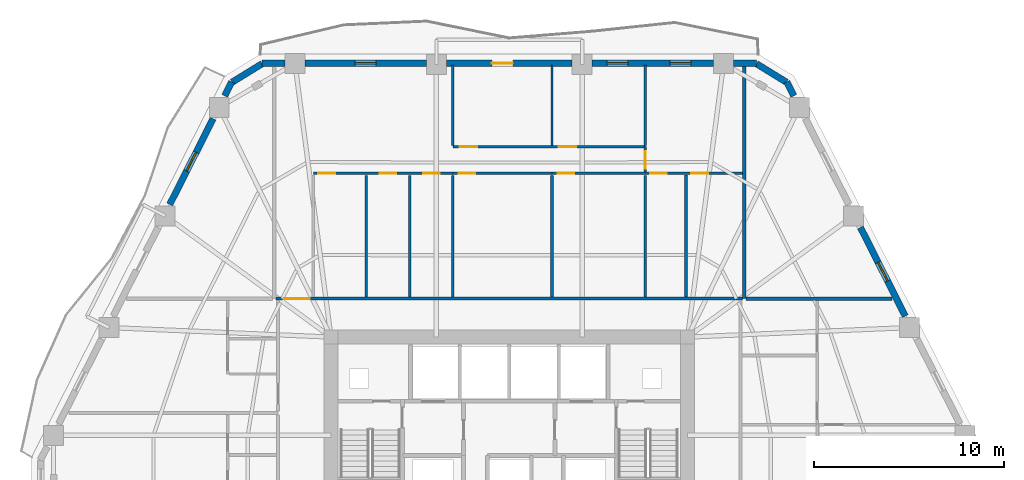
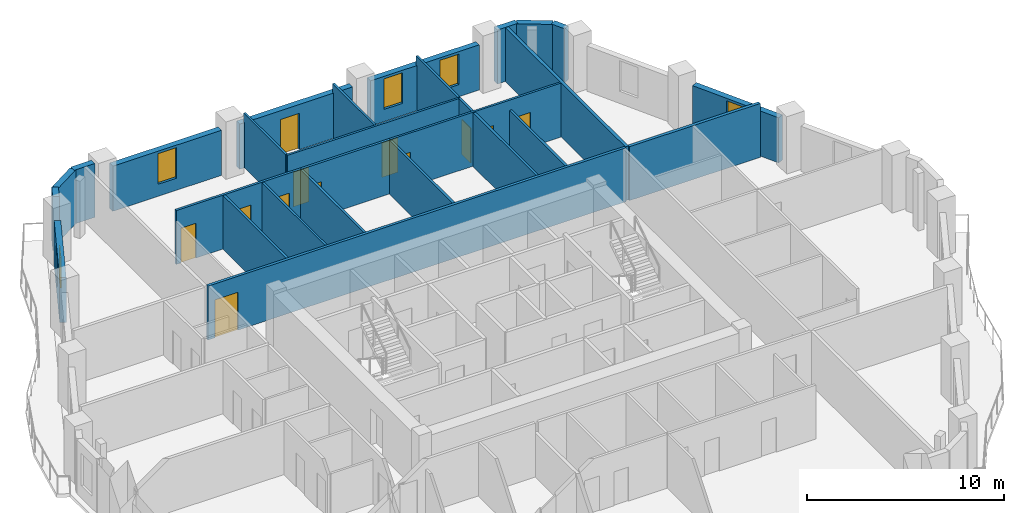
# One storey, part 7 of 10: 28 walls, 12 doors, 5 windows, 17 openings.
"""IFC4 building model written with IfcOpenShell, lengths in metres."""

from ifc_helpers import new_model, si_unit, direction, frame, frame_2d, origin, place, context, subcontext, project, spatial, rectangle, extrude, material, layer, layer_set, type_object, element, fill, save


model = new_model("IFC4")

# Units and contexts
model_context = context("Model", 3, precision=1e-05, world=origin(), true_north=direction((0.0, 1.0)))
body_context = subcontext(model_context, "Body", "Model", "MODEL_VIEW")
ifc_project = project(units=[si_unit("LENGTHUNIT", "METRE"), si_unit("AREAUNIT", "SQUARE_METRE"), si_unit("VOLUMEUNIT", "CUBIC_METRE"), si_unit("PLANEANGLEUNIT", "RADIAN"), si_unit("MASSUNIT", "GRAM", prefix="KILO")], contexts=[model_context])

# Site, building, storey
site_placement = place(None, origin())
site = spatial("IfcSite", under=ifc_project, at=site_placement, CompositionType="ELEMENT")
building_placement = place(site_placement, origin())
building = spatial("IfcBuilding", under=site, at=building_placement, Name="Cinnabar Lancet Tower", CompositionType="ELEMENT")
storey_placement = place(building_placement, frame((0.0, 0.0, 116.14990234375)))
storey = spatial("IfcBuildingStorey", under=building, at=storey_placement, Name="L30", CompositionType="ELEMENT", Elevation=116.14990234375)

# Wall, opening, door
ifc_material_1 = material(Name="Acoustic twin-stud gypsum partition", Category="gypsum")
ifc_layer_1 = layer(ifc_material_1, 0.159912109375)
ifc_layer_set_1 = layer_set([ifc_layer_1], Name="Acoustic twin-stud gypsum partition")
wall_type_1 = type_object("IfcWallType", Name="ARC-WL-CORR-160", PredefinedType="PARTITIONING", material=ifc_layer_set_1)
wall_1_placement = place(storey_placement, frame((20.14501953125, 35.300048828125, 0.0), z_axis=(0.0, 0.0, 1.0), x_axis=(1.0, 0.0, 0.0)))
wall_1 = element("IfcWall", 1, at=wall_1_placement, inside=storey, type_object=wall_type_1, Name="L30 Unit N01 Corridor Wall", PredefinedType="PARTITIONING", context=body_context, shape_type="SweptSolid", body=[
    extrude(rectangle(XDim=24.510009765625, YDim=0.159912109375, at=frame_2d((12.2548828125, 0.0))), origin(), (0.0, 0.0, 1.0), 3.340087890625),
])
opening_1_placement = place(wall_1_placement, frame((0.405029296875, 0.0, 0.0)))
opening_1 = element("IfcOpeningElement", 2, at=opening_1_placement, cuts=wall_1, Name="Opening UD-02", PredefinedType="OPENING", context=body_context, shape_type="SweptSolid", body=[
    extrude(rectangle(XDim=1.35009765625, YDim=2.35009765625, at=frame_2d((0.675048828125, 1.175048828125))), frame((0.0, 0.08984375, 0.0), z_axis=(0.0, -1.0, 0.0), x_axis=(1.0, 0.0, 0.0)), (0.0, 0.0, 1.0), 0.179931640625),
])
ifc_material_2 = material(Name="Double-leaf solid timber penthouse entrance door", Category="wood")
door_type_1 = type_object("IfcDoorType", Name="ARC-DR-UNIT-PH", OperationType="NOTDEFINED", PredefinedType="DOOR", material=ifc_material_2)
door_1_placement = place(opening_1_placement, origin())
door_1 = element("IfcDoor", 3, at=door_1_placement, inside=storey, type_object=door_type_1, Name="DR-L30-N01-ENT", OperationType="SINGLE_SWING_LEFT", OverallHeight=2.35009765625, OverallWidth=1.35009765625, PredefinedType="DOOR", context=body_context, shape_type="SweptSolid", body=[
    extrude(rectangle(XDim=1.35009765625, YDim=2.35009765625, at=frame_2d((0.675048828125, 1.175048828125))), frame((0.0, 0.02490234375, 0.0), z_axis=(0.0, -1.0, 0.0), x_axis=(1.0, 0.0, 0.0)), (0.0, 0.0, 1.0), 0.050048828125),
])
fill(opening_1, door_1)

# Walls
ifc_material_3 = material(Name="Fire-rated twin-frame acoustic drywall", Category="gypsum")
ifc_layer_2 = layer(ifc_material_3, 0.179931640625)
ifc_layer_set_2 = layer_set([ifc_layer_2], Name="Fire-rated twin-frame acoustic drywall")
wall_type_2 = type_object("IfcWallType", Name="ARC-WL-PARTY-180", PredefinedType="PARTITIONING", material=ifc_layer_set_2)
wall_2_placement = place(storey_placement, frame((44.75, 35.300048828125, 0.0), z_axis=(0.0, 0.0, 1.0), x_axis=(0.0, 1.0, 0.0)))
element("IfcWall", 4, at=wall_2_placement, inside=storey, type_object=wall_type_2, Name="PW-L30-NPTY-448", PredefinedType="PARTITIONING", context=body_context, shape_type="SweptSolid", body=[
    extrude(rectangle(XDim=12.195068359375, YDim=0.179931640625, at=frame_2d((6.09765625, 0.0))), origin(), (0.0, 0.0, 1.0), 3.340087890625),
])
wall_3_placement = place(storey_placement, frame((44.844970703125, 35.300048828125, 0.0), z_axis=(0.0, 0.0, 1.0), x_axis=(1.0, 0.0, 0.0)))
element("IfcWall", 5, at=wall_3_placement, inside=storey, type_object=wall_type_2, Name="PW-L30-ENB", PredefinedType="PARTITIONING", context=body_context, shape_type="SweptSolid", body=[
    extrude(rectangle(XDim=7.6689453125, YDim=0.179931640625, at=frame_2d((3.83447265625, 0.0))), origin(), (0.0, 0.0, 1.0), 3.340087890625),
])

# Wall, openings, doors
ifc_material_4 = material(Name="Gypsum plasterboard stud partition", Category="gypsum")
ifc_layer_3 = layer(ifc_material_4, 0.125)
ifc_layer_set_3 = layer_set([ifc_layer_3], Name="Gypsum plasterboard stud partition")
wall_type_3 = type_object("IfcWallType", Name="ARC-WL-UNIT-125", PredefinedType="PARTITIONING", material=ifc_layer_set_3)
wall_4_placement = place(storey_placement, frame((34.64306640625, 41.885009765625, 0.0), z_axis=(0.0, 0.0, 1.0), x_axis=(1.0, 0.0, 0.0)))
wall_4 = element("IfcWall", 6, at=wall_4_placement, inside=storey, type_object=wall_type_3, Name="UW-L30-N01-SP2", PredefinedType="PARTITIONING", context=body_context, shape_type="SweptSolid", body=[
    extrude(rectangle(XDim=10.011962890625, YDim=0.125, at=frame_2d((5.005859375, 0.0))), origin(), (0.0, 0.0, 1.0), 3.340087890625),
])
opening_2_placement = place(wall_4_placement, frame((5.179931640625, 0.0, 0.0)))
opening_2 = element("IfcOpeningElement", 7, at=opening_2_placement, cuts=wall_4, Name="Opening BD-01", PredefinedType="OPENING", context=body_context, shape_type="SweptSolid", body=[
    extrude(rectangle(XDim=0.860107421875, YDim=2.10009765625, at=frame_2d((0.43017578125, 1.050048828125))), frame((0.0, 0.072509765625, 0.0), z_axis=(0.0, -1.0, 0.0), x_axis=(1.0, 0.0, 0.0)), (0.0, 0.0, 1.0), 0.14501953125),
])
opening_3_placement = place(wall_4_placement, frame((7.327880859375, 0.0, 0.0)))
opening_3 = element("IfcOpeningElement", 8, at=opening_3_placement, cuts=wall_4, Name="Opening RD-02", PredefinedType="OPENING", context=body_context, shape_type="SweptSolid", body=[
    extrude(rectangle(XDim=0.8798828125, YDim=2.14990234375, at=frame_2d((0.43994140625, 1.074951171875))), frame((0.0, 0.072509765625, 0.0), z_axis=(0.0, -1.0, 0.0), x_axis=(1.0, 0.0, 0.0)), (0.0, 0.0, 1.0), 0.14501953125),
])
opening_4_placement = place(wall_4_placement, frame((0.300048828125, 0.0, 0.0)))
opening_4 = element("IfcOpeningElement", 9, at=opening_4_placement, cuts=wall_4, Name="Opening RD-02", PredefinedType="OPENING", context=body_context, shape_type="SweptSolid", body=[
    extrude(rectangle(XDim=0.8798828125, YDim=2.14990234375, at=frame_2d((0.43994140625, 1.074951171875))), frame((0.0, 0.072509765625, 0.0), z_axis=(0.0, -1.0, 0.0), x_axis=(1.0, 0.0, 0.0)), (0.0, 0.0, 1.0), 0.14501953125),
])
ifc_material_5 = material(Name="Moisture-resistant timber bathroom door", Category="wood")
door_type_2 = type_object("IfcDoorType", Name="ARC-DR-BATH", OperationType="NOTDEFINED", PredefinedType="DOOR", material=ifc_material_5)
door_2_placement = place(opening_2_placement, origin())
door_2 = element("IfcDoor", 10, at=door_2_placement, inside=storey, type_object=door_type_2, Name="DR-L30-N01-ENS", OperationType="SINGLE_SWING_RIGHT", OverallHeight=2.10009765625, OverallWidth=0.860107421875, PredefinedType="DOOR", context=body_context, shape_type="SweptSolid", body=[
    extrude(rectangle(XDim=0.860107421875, YDim=2.10009765625, at=frame_2d((0.43017578125, 1.050048828125))), frame((0.0, 0.02490234375, 0.0), z_axis=(0.0, -1.0, 0.0), x_axis=(1.0, 0.0, 0.0)), (0.0, 0.0, 1.0), 0.050048828125),
])
fill(opening_2, door_2)
ifc_material_6 = material(Name="Engineered timber study door", Category="wood")
door_type_3 = type_object("IfcDoorType", Name="ARC-DR-STUDY", OperationType="NOTDEFINED", PredefinedType="DOOR", material=ifc_material_6)
door_3_placement = place(opening_3_placement, origin())
door_3 = element("IfcDoor", 11, at=door_3_placement, inside=storey, type_object=door_type_3, Name="DR-L30-N01-ENS-WDR", OperationType="SINGLE_SWING_LEFT", OverallHeight=2.14990234375, OverallWidth=0.8798828125, PredefinedType="DOOR", context=body_context, shape_type="SweptSolid", body=[
    extrude(rectangle(XDim=0.8798828125, YDim=2.14990234375, at=frame_2d((0.43994140625, 1.074951171875))), frame((0.0, 0.02490234375, 0.0), z_axis=(0.0, -1.0, 0.0), x_axis=(1.0, 0.0, 0.0)), (0.0, 0.0, 1.0), 0.050048828125),
])
fill(opening_3, door_3)
door_4_placement = place(opening_4_placement, origin())
door_4 = element("IfcDoor", 12, at=door_4_placement, inside=storey, type_object=door_type_3, Name="DR-L30-N01-DRS", OperationType="SINGLE_SWING_LEFT", OverallHeight=2.14990234375, OverallWidth=0.8798828125, PredefinedType="DOOR", context=body_context, shape_type="SweptSolid", body=[
    extrude(rectangle(XDim=0.8798828125, YDim=2.14990234375, at=frame_2d((0.43994140625, 1.074951171875))), frame((0.0, 0.02490234375, 0.0), z_axis=(0.0, -1.0, 0.0), x_axis=(1.0, 0.0, 0.0)), (0.0, 0.0, 1.0), 0.050048828125),
])
fill(opening_4, door_4)

# Walls
wall_5_placement = place(storey_placement, frame((27.162109375, 35.385009765625, 0.0), z_axis=(0.0, 0.0, 1.0), x_axis=(0.0, 1.0, 0.0)))
element("IfcWall", 13, at=wall_5_placement, inside=storey, type_object=wall_type_3, Name="UW-L30-N01-STD", PredefinedType="PARTITIONING", context=body_context, shape_type="SweptSolid", body=[
    extrude(rectangle(XDim=6.39501953125, YDim=0.125, at=frame_2d((3.197509765625, 0.0))), origin(), (0.0, 0.0, 1.0), 3.340087890625),
])
wall_6_placement = place(storey_placement, frame((29.43603515625, 43.35009765625, 0.0), z_axis=(0.0, 0.0, 1.0), x_axis=(0.0, 1.0, 0.0)))
element("IfcWall", 14, at=wall_6_placement, inside=storey, type_object=wall_type_3, Name="UW-L30-N01-BD2W", PredefinedType="PARTITIONING", context=body_context, shape_type="SweptSolid", body=[
    extrude(rectangle(XDim=4.23486328125, YDim=0.125, at=frame_2d((2.117431640625, 0.0))), origin(), (0.0, 0.0, 1.0), 3.340087890625),
])

# Wall, openings, doors
wall_7_placement = place(storey_placement, frame((29.43603515625, 43.284912109375, 0.0), z_axis=(0.0, 0.0, 1.0), x_axis=(1.0, 0.0, 0.0)))
wall_7 = element("IfcWall", 15, at=wall_7_placement, inside=storey, type_object=wall_type_3, Name="UW-L30-N01-HLN", PredefinedType="PARTITIONING", context=body_context, shape_type="SweptSolid", body=[
    extrude(rectangle(XDim=10.10693359375, YDim=0.125, at=frame_2d((5.053466796875, 0.0))), origin(), (0.0, 0.0, 1.0), 3.340087890625),
])
opening_5_placement = place(wall_7_placement, frame((0.35009765625, 0.0, 0.0)))
opening_5 = element("IfcOpeningElement", 16, at=opening_5_placement, cuts=wall_7, Name="Opening RD-01", PredefinedType="OPENING", context=body_context, shape_type="SweptSolid", body=[
    extrude(rectangle(XDim=0.919921875, YDim=2.14990234375, at=frame_2d((0.4599609375, 1.074951171875))), frame((0.0, 0.072509765625, 0.0), z_axis=(0.0, -1.0, 0.0), x_axis=(1.0, 0.0, 0.0)), (0.0, 0.0, 1.0), 0.14501953125),
])
opening_6_placement = place(wall_7_placement, frame((5.556884765625, 0.0, 0.0)))
opening_6 = element("IfcOpeningElement", 17, at=opening_6_placement, cuts=wall_7, Name="Opening RD-01", PredefinedType="OPENING", context=body_context, shape_type="SweptSolid", body=[
    extrude(rectangle(XDim=0.919921875, YDim=2.14990234375, at=frame_2d((0.4599609375, 1.074951171875))), frame((0.0, 0.072509765625, 0.0), z_axis=(0.0, -1.0, 0.0), x_axis=(1.0, 0.0, 0.0)), (0.0, 0.0, 1.0), 0.14501953125),
])
ifc_material_7 = material(Name="Engineered timber bedroom door", Category="wood")
door_type_4 = type_object("IfcDoorType", Name="ARC-DR-ROOM", OperationType="NOTDEFINED", PredefinedType="DOOR", material=ifc_material_7)
door_5_placement = place(opening_5_placement, origin())
door_5 = element("IfcDoor", 18, at=door_5_placement, inside=storey, type_object=door_type_4, Name="DR-L30-N01-BD2", OperationType="SINGLE_SWING_RIGHT", OverallHeight=2.14990234375, OverallWidth=0.919921875, PredefinedType="DOOR", context=body_context, shape_type="SweptSolid", body=[
    extrude(rectangle(XDim=0.919921875, YDim=2.14990234375, at=frame_2d((0.4599609375, 1.074951171875))), frame((0.0, 0.02490234375, 0.0), z_axis=(0.0, -1.0, 0.0), x_axis=(1.0, 0.0, 0.0)), (0.0, 0.0, 1.0), 0.050048828125),
])
fill(opening_5, door_5)
door_6_placement = place(opening_6_placement, origin())
door_6 = element("IfcDoor", 19, at=door_6_placement, inside=storey, type_object=door_type_4, Name="DR-L30-N01-BD3", OperationType="SINGLE_SWING_LEFT", OverallHeight=2.14990234375, OverallWidth=0.919921875, PredefinedType="DOOR", context=body_context, shape_type="SweptSolid", body=[
    extrude(rectangle(XDim=0.919921875, YDim=2.14990234375, at=frame_2d((0.4599609375, 1.074951171875))), frame((0.0, 0.02490234375, 0.0), z_axis=(0.0, -1.0, 0.0), x_axis=(1.0, 0.0, 0.0)), (0.0, 0.0, 1.0), 0.050048828125),
])
fill(opening_6, door_6)

# Wall, opening, door
wall_8_placement = place(storey_placement, frame((39.54296875, 41.955078125, 0.0), z_axis=(0.0, 0.0, 1.0), x_axis=(0.0, 1.0, 0.0)))
wall_8 = element("IfcWall", 20, at=wall_8_placement, inside=storey, type_object=wall_type_3, Name="UW-L30-N01-MBE", PredefinedType="PARTITIONING", context=body_context, shape_type="SweptSolid", body=[
    extrude(rectangle(XDim=1.329833984375, YDim=0.125, at=frame_2d((0.6650390625, 0.0))), origin(), (0.0, 0.0, 1.0), 3.340087890625),
])
opening_7_placement = place(wall_8_placement, frame((0.159912109375, 0.0, 0.0)))
opening_7 = element("IfcOpeningElement", 21, at=opening_7_placement, cuts=wall_8, Name="Opening RD-01", PredefinedType="OPENING", context=body_context, shape_type="SweptSolid", body=[
    extrude(rectangle(XDim=0.919921875, YDim=2.14990234375, at=frame_2d((0.4599609375, 1.074951171875))), frame((0.0, 0.072509765625, 0.0), z_axis=(0.0, -1.0, 0.0), x_axis=(1.0, 0.0, 0.0)), (0.0, 0.0, 1.0), 0.14501953125),
])
door_7_placement = place(opening_7_placement, origin())
door_7 = element("IfcDoor", 22, at=door_7_placement, inside=storey, type_object=door_type_4, Name="DR-L30-N01-MBD", OperationType="SINGLE_SWING_RIGHT", OverallHeight=2.14990234375, OverallWidth=0.919921875, PredefinedType="DOOR", context=body_context, shape_type="SweptSolid", body=[
    extrude(rectangle(XDim=0.919921875, YDim=2.14990234375, at=frame_2d((0.4599609375, 1.074951171875))), frame((0.0, 0.02490234375, 0.0), z_axis=(0.0, -1.0, 0.0), x_axis=(1.0, 0.0, 0.0)), (0.0, 0.0, 1.0), 0.050048828125),
])
fill(opening_7, door_7)

# Walls
for number, where, z_axis, x_axis, name in (
    (23, (34.64306640625, 43.35009765625, 0.0), (0.0, 0.0, 1.0), (0.0, 1.0, 0.0), "UW-L30-N01-MB2W"),
    (24, (39.54296875, 43.35009765625, 0.0), (0.0, 0.0, 1.0), (0.0, 1.0, 0.0), "UW-L30-N01-B23W"),
):
    element("IfcWall", number, at=place(storey_placement, frame(where, z_axis=z_axis, x_axis=x_axis)), inside=storey, type_object=wall_type_3, Name=name, PredefinedType="PARTITIONING", context=body_context, shape_type="SweptSolid", body=[
        extrude(rectangle(XDim=4.23486328125, YDim=0.125, at=frame_2d((2.117431640625, 0.0))), origin(), (0.0, 0.0, 1.0), 3.340087890625),
    ])

# Wall, openings, doors
ifc_material_8 = material(Name="Moisture-resistant cement-board plumbing wall", Category="masonry")
ifc_layer_4 = layer(ifc_material_8, 0.139892578125)
ifc_layer_set_4 = layer_set([ifc_layer_4], Name="Moisture-resistant cement-board plumbing wall")
wall_type_4 = type_object("IfcWallType", Name="ARC-WL-WET-140", PredefinedType="PLUMBINGWALL", material=ifc_layer_set_4)
wall_9_placement = place(storey_placement, frame((22.10009765625, 41.885009765625, 0.0), z_axis=(0.0, 0.0, 1.0), x_axis=(1.0, 0.0, 0.0)))
wall_9 = element("IfcWall", 25, at=wall_9_placement, inside=storey, type_object=wall_type_4, Name="UW-L30-N01-SPL", PredefinedType="PLUMBINGWALL", context=body_context, shape_type="SweptSolid", body=[
    extrude(rectangle(XDim=7.3359375, YDim=0.139892578125, at=frame_2d((3.66796875, 0.0))), origin(), (0.0, 0.0, 1.0), 3.340087890625),
])
opening_8_placement = place(wall_9_placement, frame((5.77392578125, 0.0, 0.0)))
opening_8 = element("IfcOpeningElement", 26, at=opening_8_placement, cuts=wall_9, Name="Opening BD-01", PredefinedType="OPENING", context=body_context, shape_type="SweptSolid", body=[
    extrude(rectangle(XDim=0.860107421875, YDim=2.10009765625, at=frame_2d((0.43017578125, 1.050048828125))), frame((0.0, 0.079833984375, 0.0), z_axis=(0.0, -1.0, 0.0), x_axis=(1.0, 0.0, 0.0)), (0.0, 0.0, 1.0), 0.159912109375),
])
opening_9_placement = place(wall_9_placement, frame((0.260009765625, 0.0, 0.0)))
opening_9 = element("IfcOpeningElement", 27, at=opening_9_placement, cuts=wall_9, Name="Opening RD-02", PredefinedType="OPENING", context=body_context, shape_type="SweptSolid", body=[
    extrude(rectangle(XDim=0.8798828125, YDim=2.14990234375, at=frame_2d((0.43994140625, 1.074951171875))), frame((0.0, 0.079833984375, 0.0), z_axis=(0.0, -1.0, 0.0), x_axis=(1.0, 0.0, 0.0)), (0.0, 0.0, 1.0), 0.159912109375),
])
opening_10_placement = place(wall_9_placement, frame((3.485107421875, 0.0, 0.0)))
opening_10 = element("IfcOpeningElement", 28, at=opening_10_placement, cuts=wall_9, Name="Opening RD-02", PredefinedType="OPENING", context=body_context, shape_type="SweptSolid", body=[
    extrude(rectangle(XDim=0.8798828125, YDim=2.14990234375, at=frame_2d((0.43994140625, 1.074951171875))), frame((0.0, 0.079833984375, 0.0), z_axis=(0.0, -1.0, 0.0), x_axis=(1.0, 0.0, 0.0)), (0.0, 0.0, 1.0), 0.159912109375),
])
door_8_placement = place(opening_8_placement, origin())
door_8 = element("IfcDoor", 29, at=door_8_placement, inside=storey, type_object=door_type_2, Name="DR-L30-N01-BTH", OperationType="SINGLE_SWING_RIGHT", OverallHeight=2.10009765625, OverallWidth=0.860107421875, PredefinedType="DOOR", context=body_context, shape_type="SweptSolid", body=[
    extrude(rectangle(XDim=0.860107421875, YDim=2.10009765625, at=frame_2d((0.43017578125, 1.050048828125))), frame((0.0, 0.02490234375, 0.0), z_axis=(0.0, -1.0, 0.0), x_axis=(1.0, 0.0, 0.0)), (0.0, 0.0, 1.0), 0.050048828125),
])
fill(opening_8, door_8)
door_9_placement = place(opening_9_placement, origin())
door_9 = element("IfcDoor", 30, at=door_9_placement, inside=storey, type_object=door_type_3, Name="DR-L30-N01-KIT", OperationType="SINGLE_SWING_RIGHT", OverallHeight=2.14990234375, OverallWidth=0.8798828125, PredefinedType="DOOR", context=body_context, shape_type="SweptSolid", body=[
    extrude(rectangle(XDim=0.8798828125, YDim=2.14990234375, at=frame_2d((0.43994140625, 1.074951171875))), frame((0.0, 0.02490234375, 0.0), z_axis=(0.0, -1.0, 0.0), x_axis=(1.0, 0.0, 0.0)), (0.0, 0.0, 1.0), 0.050048828125),
])
fill(opening_9, door_9)
door_10_placement = place(opening_10_placement, origin())
door_10 = element("IfcDoor", 31, at=door_10_placement, inside=storey, type_object=door_type_3, Name="DR-L30-N01-STD", OperationType="SINGLE_SWING_LEFT", OverallHeight=2.14990234375, OverallWidth=0.8798828125, PredefinedType="DOOR", context=body_context, shape_type="SweptSolid", body=[
    extrude(rectangle(XDim=0.8798828125, YDim=2.14990234375, at=frame_2d((0.43994140625, 1.074951171875))), frame((0.0, 0.02490234375, 0.0), z_axis=(0.0, -1.0, 0.0), x_axis=(1.0, 0.0, 0.0)), (0.0, 0.0, 1.0), 0.050048828125),
])
fill(opening_10, door_10)

# Wall, opening, door
wall_10_placement = place(storey_placement, frame((29.43603515625, 41.885009765625, 0.0), z_axis=(0.0, 0.0, 1.0), x_axis=(1.0, 0.0, 0.0)))
wall_10 = element("IfcWall", 32, at=wall_10_placement, inside=storey, type_object=wall_type_4, Name="UW-L30-N01-SPM", PredefinedType="PLUMBINGWALL", context=body_context, shape_type="SweptSolid", body=[
    extrude(rectangle(XDim=5.20703125, YDim=0.139892578125, at=frame_2d((2.603515625, 0.0))), origin(), (0.0, 0.0, 1.0), 3.340087890625),
])
opening_11_placement = place(wall_10_placement, frame((0.300048828125, 0.0, 0.0)))
opening_11 = element("IfcOpeningElement", 33, at=opening_11_placement, cuts=wall_10, Name="Opening RD-02", PredefinedType="OPENING", context=body_context, shape_type="SweptSolid", body=[
    extrude(rectangle(XDim=0.8798828125, YDim=2.14990234375, at=frame_2d((0.43994140625, 1.074951171875))), frame((0.0, 0.079833984375, 0.0), z_axis=(0.0, -1.0, 0.0), x_axis=(1.0, 0.0, 0.0)), (0.0, 0.0, 1.0), 0.159912109375),
])
door_11_placement = place(opening_11_placement, origin())
door_11 = element("IfcDoor", 34, at=door_11_placement, inside=storey, type_object=door_type_3, Name="DR-L30-N01-UTL", OperationType="SINGLE_SWING_LEFT", OverallHeight=2.14990234375, OverallWidth=0.8798828125, PredefinedType="DOOR", context=body_context, shape_type="SweptSolid", body=[
    extrude(rectangle(XDim=0.8798828125, YDim=2.14990234375, at=frame_2d((0.43994140625, 1.074951171875))), frame((0.0, 0.02490234375, 0.0), z_axis=(0.0, -1.0, 0.0), x_axis=(1.0, 0.0, 0.0)), (0.0, 0.0, 1.0), 0.050048828125),
])
fill(opening_11, door_11)

# Walls
for number, where, z_axis, x_axis, name in (
    (35, (24.887939453125, 35.385009765625, 0.0), (0.0, 0.0, 1.0), (0.0, 1.0, 0.0), "UW-L30-N01-KDV"),
    (36, (29.43603515625, 35.385009765625, 0.0), (0.0, 0.0, 1.0), (0.0, 1.0, 0.0), "UW-L30-N01-ENSW"),
    (37, (34.64306640625, 35.385009765625, 0.0), (0.0, 0.0, 1.0), (0.0, 1.0, 0.0), "UW-L30-N01-ENSE"),
    (38, (39.54296875, 35.385009765625, 0.0), (0.0, 0.0, 1.0), (0.0, 1.0, 0.0), "UW-L30-N01-UT3"),
):
    element("IfcWall", number, at=place(storey_placement, frame(where, z_axis=z_axis, x_axis=x_axis)), inside=storey, type_object=wall_type_4, Name=name, PredefinedType="PLUMBINGWALL", context=body_context, shape_type="SweptSolid", body=[
        extrude(rectangle(XDim=6.39501953125, YDim=0.139892578125, at=frame_2d((3.197509765625, 0.0))), origin(), (0.0, 0.0, 1.0), 3.340087890625),
    ])
wall_11_placement = place(storey_placement, frame((41.69091796875, 35.385009765625, 0.0), z_axis=(0.0, 0.0, 1.0), x_axis=(0.0, 1.0, 0.0)))
element("IfcWall", 39, at=wall_11_placement, inside=storey, type_object=wall_type_4, Name="UW-L30-N01-ENS-WDV", PredefinedType="PLUMBINGWALL", context=body_context, shape_type="SweptSolid", body=[
    extrude(rectangle(XDim=6.4150390625, YDim=0.139892578125, at=frame_2d((3.20751953125, 0.0))), origin(), (0.0, 0.0, 1.0), 2.72216796875),
])
ifc_material_9 = material(Name="Cinnabar red clay brick", Category="masonry")
ifc_layer_5 = layer(ifc_material_9, 0.340087890625)
ifc_layer_set_5 = layer_set([ifc_layer_5], Name="Cinnabar red clay brick")
wall_type_5 = type_object("IfcWallType", Name="ENV-WL-BRK-RED-340", PredefinedType="STANDARD", material=ifc_layer_set_5)
for number, where, z_axis, x_axis, name in (
    (40, (46.970947265625, 46.677001953125, 0.0), (0.0, 0.0, 1.0), (-0.851798915137, 0.523868884523, 0.0), "L30 Chamfered Corner Brick Pier 4.1"),
    (41, (19.403076171875, 47.64501953125, 0.0), (0.0, 0.0, 1.0), (-0.851798915137, -0.523868884523, 0.0), "L30 Chamfered Corner Brick Pier 5.1"),
):
    element("IfcWall", number, at=place(storey_placement, frame(where, z_axis=z_axis, x_axis=x_axis)), inside=storey, type_object=wall_type_5, Name=name, PredefinedType="STANDARD", context=body_context, shape_type="SweptSolid", body=[
        extrude(rectangle(XDim=1.847900390625, YDim=0.340087890625, at=frame_2d((0.923828125, 0.0))), origin(), (0.0, 0.0, 1.0), 3.340087890625),
    ])

# Wall, opening, window
wall_12_placement = place(storey_placement, frame((53.219970703125, 34.382080078125, 0.0), z_axis=(0.0, 0.0, 1.0), x_axis=(-0.451567731634, 0.892236842855, 0.0)))
wall_12 = element("IfcWall", 42, at=wall_12_placement, inside=storey, type_object=wall_type_5, Name="L30 Face 3 Masonry Bay Wall 3", PredefinedType="STANDARD", context=body_context, shape_type="SweptSolid", body=[
    extrude(rectangle(XDim=5.219482421875, YDim=0.340087890625, at=frame_2d((2.60986328125, 0.0))), origin(), (0.0, 0.0, 1.0), 2.797119140625),
])
opening_12_placement = place(wall_12_placement, frame((2.06005859375, 0.0, 0.75)))
opening_12 = element("IfcOpeningElement", 43, at=opening_12_placement, cuts=wall_12, Name="Opening WN-04", PredefinedType="OPENING", context=body_context, shape_type="SweptSolid", body=[
    extrude(rectangle(XDim=1.10009765625, YDim=1.89697265625, at=frame_2d((0.550048828125, 0.948486328125))), frame((0.0, 0.179931640625, 0.0), z_axis=(0.0, -1.0, 0.0), x_axis=(1.0, 0.0, 0.0)), (0.0, 0.0, 1.0), 0.360107421875),
])
ifc_material_10 = material(Name="Thermally broken bronze-anodized aluminium tall lancet window", Category="aluminium")
window_type = type_object("IfcWindowType", Name="ENV-WN-LANCET-1100", PartitioningType="SINGLE_PANEL", PredefinedType="WINDOW", material=ifc_material_10)
window_1_placement = place(opening_12_placement, origin())
window_1 = element("IfcWindow", 44, at=window_1_placement, inside=storey, type_object=window_type, Name="L30 Face 3 Gothic Lancet Window 3", OverallHeight=1.89697265625, OverallWidth=1.10009765625, PartitioningType="SINGLE_PANEL", PredefinedType="WINDOW", context=body_context, shape_type="SweptSolid", body=[
    extrude(rectangle(XDim=1.10009765625, YDim=1.89697265625, at=frame_2d((0.550048828125, 0.948486328125))), frame((0.0, 0.030029296875, 0.0), z_axis=(0.0, -1.0, 0.0), x_axis=(1.0, 0.0, 0.0)), (0.0, 0.0, 1.0), 0.06005859375),
])
fill(opening_12, window_1)

# Walls
wall_13_placement = place(storey_placement, frame((47.362060546875, 45.9599609375, 0.0), z_axis=(0.0, 0.0, 1.0), x_axis=(-0.45160540153, 0.89221777684, 0.0)))
element("IfcWall", 45, at=wall_13_placement, inside=storey, type_object=wall_type_5, Name="L30 Face 3 Masonry Bay Wall 5", PredefinedType="STANDARD", context=body_context, shape_type="SweptSolid", body=[
    extrude(rectangle(XDim=0.82177734375, YDim=0.340087890625, at=frame_2d((0.410888671875, 0.0))), origin(), (0.0, 0.0, 1.0), 3.340087890625),
])
wall_14_placement = place(storey_placement, frame((45.402099609375, 47.669921875, 0.0), z_axis=(0.0, 0.0, 1.0), x_axis=(-1.0, 0.0, 0.0)))
element("IfcWall", 46, at=wall_14_placement, inside=storey, type_object=wall_type_5, Name="L30 Face 4 Masonry Bay Wall 1", PredefinedType="STANDARD", context=body_context, shape_type="SweptSolid", body=[
    extrude(rectangle(XDim=1.2041015625, YDim=0.340087890625, at=frame_2d((0.60205078125, 0.0))), origin(), (0.0, 0.0, 1.0), 3.340087890625),
])

# Wall, openings, windows
wall_15_placement = place(storey_placement, frame((43.139892578125, 47.669921875, 0.0), z_axis=(0.0, 0.0, 1.0), x_axis=(-1.0, 0.0, 0.0)))
wall_15 = element("IfcWall", 47, at=wall_15_placement, inside=storey, type_object=wall_type_5, Name="L30 Face 4 Masonry Bay Wall 2", PredefinedType="STANDARD", context=body_context, shape_type="SweptSolid", body=[
    extrude(rectangle(XDim=6.37890625, YDim=0.340087890625, at=frame_2d((3.189453125, 0.0))), origin(), (0.0, 0.0, 1.0), 2.797119140625),
])
opening_13_placement = place(wall_15_placement, frame((1.19189453125, 0.0, 0.75)))
opening_13 = element("IfcOpeningElement", 48, at=opening_13_placement, cuts=wall_15, Name="Opening WN-04", PredefinedType="OPENING", context=body_context, shape_type="SweptSolid", body=[
    extrude(rectangle(XDim=1.10009765625, YDim=1.89697265625, at=frame_2d((0.550048828125, 0.948486328125))), frame((0.0, 0.179931640625, 0.0), z_axis=(0.0, -1.0, 0.0), x_axis=(1.0, 0.0, 0.0)), (0.0, 0.0, 1.0), 0.360107421875),
])
opening_14_placement = place(wall_15_placement, frame((4.493896484375, 0.0, 0.75)))
opening_14 = element("IfcOpeningElement", 49, at=opening_14_placement, cuts=wall_15, Name="Opening WN-04", PredefinedType="OPENING", context=body_context, shape_type="SweptSolid", body=[
    extrude(rectangle(XDim=1.10009765625, YDim=1.89697265625, at=frame_2d((0.550048828125, 0.948486328125))), frame((0.0, 0.179931640625, 0.0), z_axis=(0.0, -1.0, 0.0), x_axis=(1.0, 0.0, 0.0)), (0.0, 0.0, 1.0), 0.360107421875),
])
window_2_placement = place(opening_13_placement, origin())
window_2 = element("IfcWindow", 50, at=window_2_placement, inside=storey, type_object=window_type, Name="L30 Face 4 Gothic Lancet Window 2", OverallHeight=1.89697265625, OverallWidth=1.10009765625, PartitioningType="SINGLE_PANEL", PredefinedType="WINDOW", context=body_context, shape_type="SweptSolid", body=[
    extrude(rectangle(XDim=1.10009765625, YDim=1.89697265625, at=frame_2d((0.550048828125, 0.948486328125))), frame((0.0, 0.030029296875, 0.0), z_axis=(0.0, -1.0, 0.0), x_axis=(1.0, 0.0, 0.0)), (0.0, 0.0, 1.0), 0.06005859375),
])
fill(opening_13, window_2)
window_3_placement = place(opening_14_placement, origin())
window_3 = element("IfcWindow", 51, at=window_3_placement, inside=storey, type_object=window_type, Name="L30 Split-Bay Gothic Lancet Window 97", OverallHeight=1.89697265625, OverallWidth=1.10009765625, PartitioningType="SINGLE_PANEL", PredefinedType="WINDOW", context=body_context, shape_type="SweptSolid", body=[
    extrude(rectangle(XDim=1.10009765625, YDim=1.89697265625, at=frame_2d((0.550048828125, 0.948486328125))), frame((0.0, 0.030029296875, 0.0), z_axis=(0.0, -1.0, 0.0), x_axis=(1.0, 0.0, 0.0)), (0.0, 0.0, 1.0), 0.06005859375),
])
fill(opening_14, window_3)

# Wall, opening, door
wall_16_placement = place(storey_placement, frame((35.702880859375, 47.669921875, 0.0), z_axis=(0.0, 0.0, 1.0), x_axis=(-1.0, 0.0, 0.0)))
wall_16 = element("IfcWall", 52, at=wall_16_placement, inside=storey, type_object=wall_type_5, Name="L30 Face 4 Masonry Bay Wall 3", PredefinedType="STANDARD", context=body_context, shape_type="SweptSolid", body=[
    extrude(rectangle(XDim=6.60595703125, YDim=0.340087890625, at=frame_2d((3.302978515625, 0.0))), origin(), (0.0, 0.0, 1.0), 2.797119140625),
])
opening_15_placement = place(wall_16_placement, frame((3.114013671875, 0.0, 0.0)))
opening_15 = element("IfcOpeningElement", 53, at=opening_15_placement, cuts=wall_16, Name="Opening TD-01", PredefinedType="OPENING", context=body_context, shape_type="SweptSolid", body=[
    extrude(rectangle(XDim=1.10009765625, YDim=2.25, at=frame_2d((0.550048828125, 1.125))), frame((0.0, 0.179931640625, 0.0), z_axis=(0.0, -1.0, 0.0), x_axis=(1.0, 0.0, 0.0)), (0.0, 0.0, 1.0), 0.360107421875),
])
ifc_material_11 = material(Name="Thermally broken low-E glazed balcony terrace door", Category="wood")
door_type_5 = type_object("IfcDoorType", Name="ARC-DR-BALC", OperationType="NOTDEFINED", PredefinedType="DOOR", material=ifc_material_11)
door_12_placement = place(opening_15_placement, origin())
door_12 = element("IfcDoor", 54, at=door_12_placement, inside=storey, type_object=door_type_5, Name="L30 Face 4 Glazed Terrace Door", OperationType="SINGLE_SWING_LEFT", OverallHeight=2.25, OverallWidth=1.10009765625, PredefinedType="DOOR", context=body_context, shape_type="SweptSolid", body=[
    extrude(rectangle(XDim=1.10009765625, YDim=2.25, at=frame_2d((0.550048828125, 1.125))), frame((0.0, 0.02490234375, 0.0), z_axis=(0.0, -1.0, 0.0), x_axis=(1.0, 0.0, 0.0)), (0.0, 0.0, 1.0), 0.050048828125),
])
fill(opening_15, door_12)

# Wall, opening, window
wall_17_placement = place(storey_placement, frame((28.0390625, 47.669921875, 0.0), z_axis=(0.0, 0.0, 1.0), x_axis=(-1.0, 0.0, 0.0)))
wall_17 = element("IfcWall", 55, at=wall_17_placement, inside=storey, type_object=wall_type_5, Name="L30 Face 4 Masonry Bay Wall 4", PredefinedType="STANDARD", context=body_context, shape_type="SweptSolid", body=[
    extrude(rectangle(XDim=6.379150390625, YDim=0.340087890625, at=frame_2d((3.189453125, 0.0))), origin(), (0.0, 0.0, 1.0), 2.797119140625),
])
opening_16_placement = place(wall_17_placement, frame((2.639892578125, 0.0, 0.75)))
opening_16 = element("IfcOpeningElement", 56, at=opening_16_placement, cuts=wall_17, Name="Opening WN-04", PredefinedType="OPENING", context=body_context, shape_type="SweptSolid", body=[
    extrude(rectangle(XDim=1.10009765625, YDim=1.89697265625, at=frame_2d((0.550048828125, 0.948486328125))), frame((0.0, 0.179931640625, 0.0), z_axis=(0.0, -1.0, 0.0), x_axis=(1.0, 0.0, 0.0)), (0.0, 0.0, 1.0), 0.360107421875),
])
window_4_placement = place(opening_16_placement, origin())
window_4 = element("IfcWindow", 57, at=window_4_placement, inside=storey, type_object=window_type, Name="L30 Face 4 Gothic Lancet Window 4", OverallHeight=1.89697265625, OverallWidth=1.10009765625, PartitioningType="SINGLE_PANEL", PredefinedType="WINDOW", context=body_context, shape_type="SweptSolid", body=[
    extrude(rectangle(XDim=1.10009765625, YDim=1.89697265625, at=frame_2d((0.550048828125, 0.948486328125))), frame((0.0, 0.030029296875, 0.0), z_axis=(0.0, -1.0, 0.0), x_axis=(1.0, 0.0, 0.0)), (0.0, 0.0, 1.0), 0.06005859375),
])
fill(opening_16, window_4)

# Walls
wall_18_placement = place(storey_placement, frame((20.60205078125, 47.669921875, 0.0), z_axis=(0.0, 0.0, 1.0), x_axis=(-1.0, 0.0, 0.0)))
element("IfcWall", 58, at=wall_18_placement, inside=storey, type_object=wall_type_5, Name="L30 Face 4 Masonry Bay Wall 5", PredefinedType="STANDARD", context=body_context, shape_type="SweptSolid", body=[
    extrude(rectangle(XDim=1.2041015625, YDim=0.340087890625, at=frame_2d((0.60205078125, 0.0))), origin(), (0.0, 0.0, 1.0), 3.340087890625),
])
wall_19_placement = place(storey_placement, frame((17.80908203125, 46.693115234375, 0.0), z_axis=(0.0, 0.0, 1.0), x_axis=(-0.45160540153, -0.89221777684, 0.0)))
element("IfcWall", 59, at=wall_19_placement, inside=storey, type_object=wall_type_5, Name="L30 Face 5 Masonry Bay Wall 1", PredefinedType="STANDARD", context=body_context, shape_type="SweptSolid", body=[
    extrude(rectangle(XDim=0.82177734375, YDim=0.340087890625, at=frame_2d((0.410888671875, 0.0))), origin(), (0.0, 0.0, 1.0), 3.340087890625),
])

# Wall, opening, window
wall_20_placement = place(storey_placement, frame((16.824951171875, 44.748046875, 0.0), z_axis=(0.0, 0.0, 1.0), x_axis=(-0.451548465867, -0.892246593142, 0.0)))
wall_20 = element("IfcWall", 60, at=wall_20_placement, inside=storey, type_object=wall_type_5, Name="L30 Face 5 Masonry Bay Wall 2", PredefinedType="STANDARD", context=body_context, shape_type="SweptSolid", body=[
    extrude(rectangle(XDim=5.040283203125, YDim=0.340087890625, at=frame_2d((2.52001953125, 0.0))), origin(), (0.0, 0.0, 1.0), 2.797119140625),
])
opening_17_placement = place(wall_20_placement, frame((1.969970703125, 0.0, 0.75)))
opening_17 = element("IfcOpeningElement", 61, at=opening_17_placement, cuts=wall_20, Name="Opening WN-04", PredefinedType="OPENING", context=body_context, shape_type="SweptSolid", body=[
    extrude(rectangle(XDim=1.10009765625, YDim=1.89697265625, at=frame_2d((0.550048828125, 0.948486328125))), frame((0.0, 0.179931640625, 0.0), z_axis=(0.0, -1.0, 0.0), x_axis=(1.0, 0.0, 0.0)), (0.0, 0.0, 1.0), 0.360107421875),
])
window_5_placement = place(opening_17_placement, origin())
window_5 = element("IfcWindow", 62, at=window_5_placement, inside=storey, type_object=window_type, Name="L30 Face 5 Gothic Lancet Window 2", OverallHeight=1.89697265625, OverallWidth=1.10009765625, PartitioningType="SINGLE_PANEL", PredefinedType="WINDOW", context=body_context, shape_type="SweptSolid", body=[
    extrude(rectangle(XDim=1.10009765625, YDim=1.89697265625, at=frame_2d((0.550048828125, 0.948486328125))), frame((0.0, 0.030029296875, 0.0), z_axis=(0.0, -1.0, 0.0), x_axis=(1.0, 0.0, 0.0)), (0.0, 0.0, 1.0), 0.06005859375),
])
fill(opening_17, window_5)

save(model, "model.ifc")
